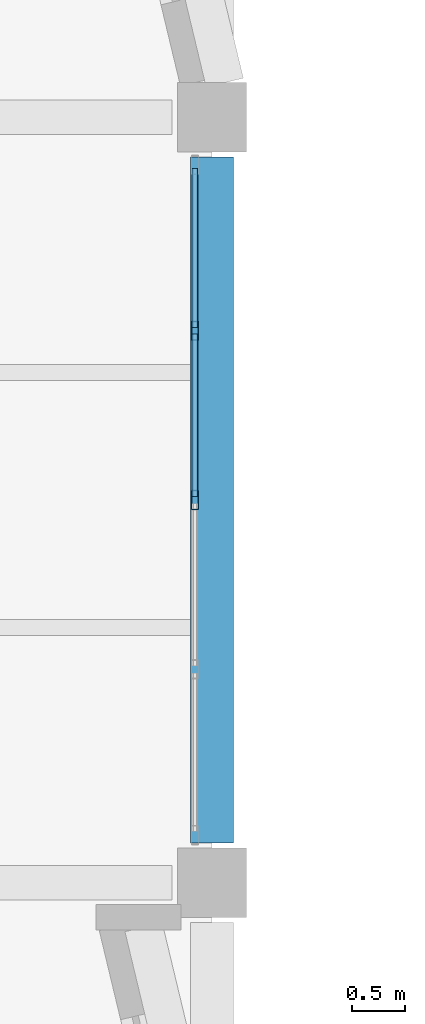
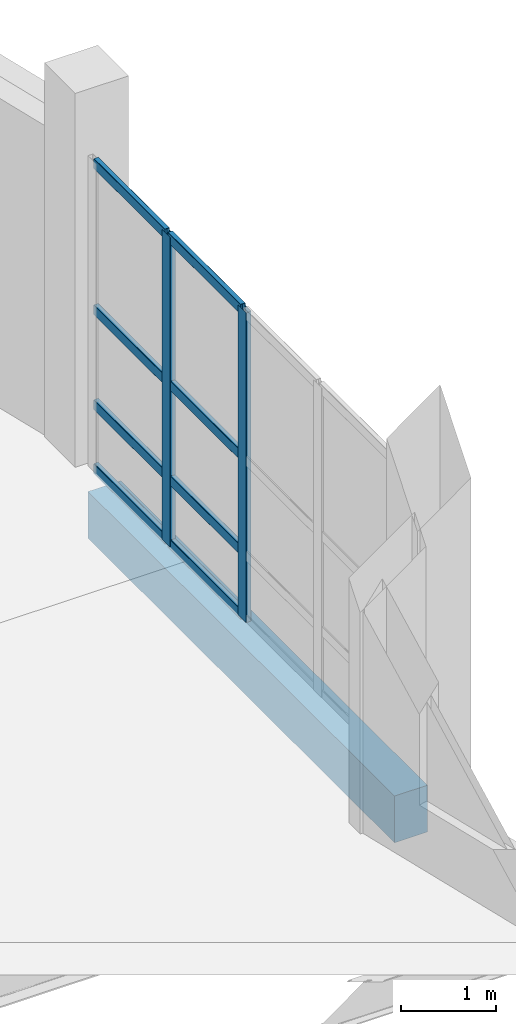
# One storey, part 20 of 127: 10 members, 1 beam, 1 element without a shape of its own.
"""IFC4 building model written with IfcOpenShell, lengths in metres."""

from ifc_helpers import new_model, si_unit, direction, frame, origin, origin_2d, place, context, subcontext, project, spatial, rectangle, hollow_rectangle, extrude, material, material_profile, profile_set, type_object, element, aggregate, save


model = new_model("IFC4")

# Units and contexts
model_context = context("Model", 3, precision=1e-05, world=origin(), true_north=direction((0.0, 1.0)))
body_context = subcontext(model_context, "Body", "Model", "MODEL_VIEW")
ifc_project = project(units=[si_unit("LENGTHUNIT", "METRE"), si_unit("AREAUNIT", "SQUARE_METRE"), si_unit("VOLUMEUNIT", "CUBIC_METRE"), si_unit("PLANEANGLEUNIT", "RADIAN"), si_unit("MASSUNIT", "GRAM", prefix="KILO")], contexts=[model_context])

# Site, building, storey
site_placement = place(None, origin())
site = spatial("IfcSite", under=ifc_project, at=site_placement, CompositionType="ELEMENT")
building_placement = place(site_placement, origin())
building = spatial("IfcBuilding", under=site, at=building_placement, Name="Kalmorath City Hall", CompositionType="ELEMENT")
storey_placement = place(building_placement, frame((0.0, 0.0, 5.39990234375)))
storey = spatial("IfcBuildingStorey", under=building, at=storey_placement, Name="L01", CompositionType="ELEMENT", Elevation=5.39990234375)

# Beam
ifc_material_1 = material(Name="Concrete C40/50", Category="concrete")
ifc_material_profile_1 = material_profile(ifc_material_1, rectangle(XDim=0.39990234375, YDim=0.60009765625, at=origin_2d()), Name="RC-BM-400X600")
ifc_profile_set_1 = profile_set([ifc_material_profile_1], Name="Concrete C40/50")
beam_type = type_object("IfcBeamType", Name="Concrete edge beam 400x600", PredefinedType="SPANDREL", material=ifc_profile_set_1)
beam_placement = place(storey_placement, frame((28.800048828125, 57.97509765625, -0.6240234375), z_axis=(0.0, 1.0, 0.0), x_axis=(-1.0, 0.0, 0.0)))
element("IfcBeam", 1, at=beam_placement, inside=storey, type_object=beam_type, Name="L01 girder CB6 Y5/9-10", PredefinedType="SPANDREL", context=body_context, shape_type="SweptSolid", body=[
    extrude(rectangle(XDim=0.39990234375, YDim=0.60009765625, at=origin_2d()), origin(), (0.0, 0.0, 1.0), 6.449951171875),
])

# Curtain wall, members
ifc_material_2 = material(Name="Anodised aluminium and laminated glass", Category="aluminium")
curtain_wall_type = type_object("IfcCurtainWallType", Name="Unitised hurricane curtain wall 6370x3976 M1750", PredefinedType="NOTDEFINED", material=ifc_material_2)
curtain_wall_placement = place(storey_placement, origin())
curtain_wall = element("IfcCurtainWall", 2, at=curtain_wall_placement, inside=storey, type_object=curtain_wall_type, Name="L01 curtain wall CW-64X40M18 #110", PredefinedType="NOTDEFINED")
ifc_material_3 = material(Name="Anodised aluminium framing", Category="aluminium")
ifc_material_profile_2 = material_profile(ifc_material_3, hollow_rectangle(XDim=0.06494140625, YDim=0.179931640625, WallThickness=0.00390625, InnerFilletRadius=0.00390625, OuterFilletRadius=0.008056640625, at=origin_2d()), Name="ALU-MUL-180X65X4")
ifc_profile_set_2 = profile_set([ifc_material_profile_2], Name="Anodised aluminium framing")
member_type_1 = type_object("IfcMemberType", Name="Curtain-wall courtyard mullion 180x65", PredefinedType="MULLION", material=ifc_profile_set_2)
member_1_placement = place(storey_placement, frame((28.639892578125, 62.79248046875, 0.0), z_axis=(0.0, 0.0, 1.0), x_axis=(1.0, 0.0, 0.0)))
member_1 = element("IfcMember", 3, at=member_1_placement, type_object=member_type_1, Name="CW-64X40M18 mullion 2", PredefinedType="MULLION", context=body_context, shape_type="SweptSolid", body=[
    extrude(hollow_rectangle(XDim=0.06494140625, YDim=0.179931640625, WallThickness=0.00390625, InnerFilletRadius=0.00390625, OuterFilletRadius=0.008056640625, at=origin_2d()), origin(), (0.0, 0.0, 1.0), 3.97607421875),
])
member_2_placement = place(storey_placement, frame((28.639892578125, 61.199951171875, 0.0), z_axis=(0.0, 0.0, 1.0), x_axis=(1.0, 0.0, 0.0)))
member_2 = element("IfcMember", 4, at=member_2_placement, type_object=member_type_1, Name="CW-64X40M18 mullion 3", PredefinedType="MULLION", context=body_context, shape_type="SweptSolid", body=[
    extrude(hollow_rectangle(XDim=0.06494140625, YDim=0.179931640625, WallThickness=0.00390625, InnerFilletRadius=0.00390625, OuterFilletRadius=0.008056640625, at=origin_2d()), origin(), (0.0, 0.0, 1.0), 3.97607421875),
])
ifc_material_4 = material(Name="Anodised aluminium framing", Category="aluminium")
ifc_material_profile_3 = material_profile(ifc_material_4, hollow_rectangle(XDim=0.06005859375, YDim=0.1298828125, WallThickness=0.00341796875, InnerFilletRadius=0.00341796875, OuterFilletRadius=0.007080078125, at=origin_2d()), Name="ALU-TRN-130X60X3.5")
ifc_profile_set_3 = profile_set([ifc_material_profile_3], Name="Anodised aluminium framing")
member_type_2 = type_object("IfcMemberType", Name="Curtain-wall courtyard transom 130x60", PredefinedType="USERDEFINED", material=ifc_profile_set_3)
member_3_placement = place(storey_placement, frame((28.639892578125, 64.320068359375, 0.030029296875), z_axis=(0.0, -1.0, 0.0), x_axis=(1.0, 0.0, 0.0)))
member_3 = element("IfcMember", 5, at=member_3_placement, type_object=member_type_2, Name="CW-64X40M18 transom 1.1", ObjectType="TRANSOM", PredefinedType="USERDEFINED", context=body_context, shape_type="SweptSolid", body=[
    extrude(hollow_rectangle(XDim=0.06005859375, YDim=0.1298828125, WallThickness=0.00341796875, InnerFilletRadius=0.00341796875, OuterFilletRadius=0.007080078125, at=origin_2d()), origin(), (0.0, 0.0, 1.0), 1.4951171875),
])
member_4_placement = place(storey_placement, frame((28.639892578125, 64.320068359375, 0.85009765625), z_axis=(0.0, -1.0, 0.0), x_axis=(1.0, 0.0, 0.0)))
member_4 = element("IfcMember", 6, at=member_4_placement, type_object=member_type_2, Name="CW-64X40M18 transom 1.2", ObjectType="TRANSOM", PredefinedType="USERDEFINED", context=body_context, shape_type="SweptSolid", body=[
    extrude(hollow_rectangle(XDim=0.06005859375, YDim=0.1298828125, WallThickness=0.00341796875, InnerFilletRadius=0.00341796875, OuterFilletRadius=0.007080078125, at=origin_2d()), origin(), (0.0, 0.0, 1.0), 1.4951171875),
])
member_5_placement = place(storey_placement, frame((28.639892578125, 64.320068359375, 2.068115234375), z_axis=(0.0, -1.0, 0.0), x_axis=(1.0, 0.0, 0.0)))
member_5 = element("IfcMember", 7, at=member_5_placement, type_object=member_type_2, Name="CW-64X40M18 transom 1.3", ObjectType="TRANSOM", PredefinedType="USERDEFINED", context=body_context, shape_type="SweptSolid", body=[
    extrude(hollow_rectangle(XDim=0.06005859375, YDim=0.1298828125, WallThickness=0.00341796875, InnerFilletRadius=0.00341796875, OuterFilletRadius=0.007080078125, at=origin_2d()), origin(), (0.0, 0.0, 1.0), 1.4951171875),
])
member_6_placement = place(storey_placement, frame((28.639892578125, 64.320068359375, 3.946044921875), z_axis=(0.0, -1.0, 0.0), x_axis=(1.0, 0.0, 0.0)))
member_6 = element("IfcMember", 8, at=member_6_placement, type_object=member_type_2, Name="CW-64X40M18 transom 1.4", ObjectType="TRANSOM", PredefinedType="USERDEFINED", context=body_context, shape_type="SweptSolid", body=[
    extrude(hollow_rectangle(XDim=0.06005859375, YDim=0.1298828125, WallThickness=0.00341796875, InnerFilletRadius=0.00341796875, OuterFilletRadius=0.007080078125, at=origin_2d()), origin(), (0.0, 0.0, 1.0), 1.4951171875),
])
member_7_placement = place(storey_placement, frame((28.639892578125, 62.760009765625, 0.030029296875), z_axis=(0.0, -1.0, 0.0), x_axis=(1.0, 0.0, 0.0)))
member_7 = element("IfcMember", 9, at=member_7_placement, type_object=member_type_2, Name="CW-64X40M18 transom 2.1", ObjectType="TRANSOM", PredefinedType="USERDEFINED", context=body_context, shape_type="SweptSolid", body=[
    extrude(hollow_rectangle(XDim=0.06005859375, YDim=0.1298828125, WallThickness=0.00341796875, InnerFilletRadius=0.00341796875, OuterFilletRadius=0.007080078125, at=origin_2d()), origin(), (0.0, 0.0, 1.0), 1.527587890625),
])
member_8_placement = place(storey_placement, frame((28.639892578125, 62.760009765625, 0.85009765625), z_axis=(0.0, -1.0, 0.0), x_axis=(1.0, 0.0, 0.0)))
member_8 = element("IfcMember", 10, at=member_8_placement, type_object=member_type_2, Name="CW-64X40M18 transom 2.2", ObjectType="TRANSOM", PredefinedType="USERDEFINED", context=body_context, shape_type="SweptSolid", body=[
    extrude(hollow_rectangle(XDim=0.06005859375, YDim=0.1298828125, WallThickness=0.00341796875, InnerFilletRadius=0.00341796875, OuterFilletRadius=0.007080078125, at=origin_2d()), origin(), (0.0, 0.0, 1.0), 1.527587890625),
])
member_9_placement = place(storey_placement, frame((28.639892578125, 62.760009765625, 2.068115234375), z_axis=(0.0, -1.0, 0.0), x_axis=(1.0, 0.0, 0.0)))
member_9 = element("IfcMember", 11, at=member_9_placement, type_object=member_type_2, Name="CW-64X40M18 transom 2.3", ObjectType="TRANSOM", PredefinedType="USERDEFINED", context=body_context, shape_type="SweptSolid", body=[
    extrude(hollow_rectangle(XDim=0.06005859375, YDim=0.1298828125, WallThickness=0.00341796875, InnerFilletRadius=0.00341796875, OuterFilletRadius=0.007080078125, at=origin_2d()), origin(), (0.0, 0.0, 1.0), 1.527587890625),
])
member_10_placement = place(storey_placement, frame((28.639892578125, 62.760009765625, 3.946044921875), z_axis=(0.0, -1.0, 0.0), x_axis=(1.0, 0.0, 0.0)))
member_10 = element("IfcMember", 12, at=member_10_placement, type_object=member_type_2, Name="CW-64X40M18 transom 2.4", ObjectType="TRANSOM", PredefinedType="USERDEFINED", context=body_context, shape_type="SweptSolid", body=[
    extrude(hollow_rectangle(XDim=0.06005859375, YDim=0.1298828125, WallThickness=0.00341796875, InnerFilletRadius=0.00341796875, OuterFilletRadius=0.007080078125, at=origin_2d()), origin(), (0.0, 0.0, 1.0), 1.527587890625),
])
aggregate(curtain_wall, [member_1, member_2, member_3, member_4, member_5, member_6, member_7, member_8, member_9, member_10])

save(model, "model.ifc")
